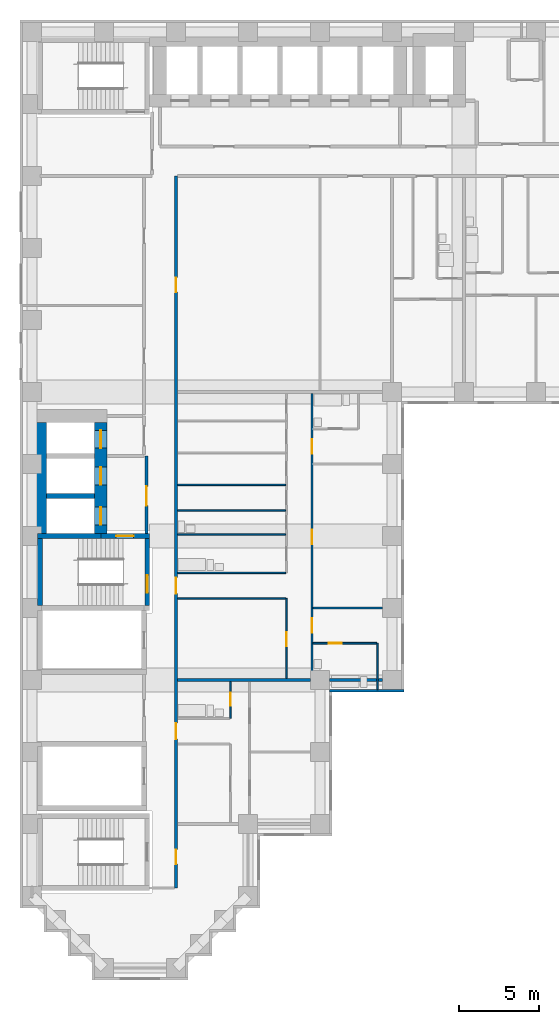
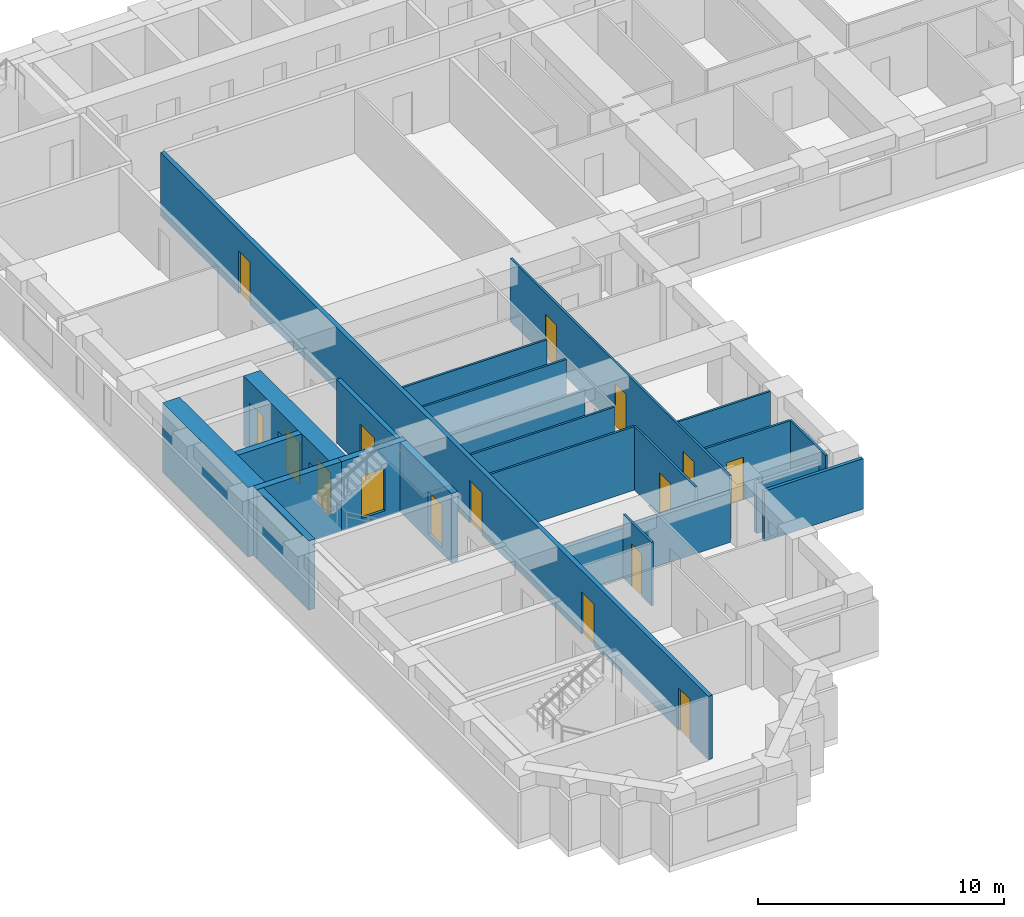
# One storey, part 3 of 13: 23 walls, 16 doors, 16 openings.
"""IFC4 building model written with IfcOpenShell, lengths in metres."""

from ifc_helpers import new_model, si_unit, direction, frame, frame_2d, origin, place, context, subcontext, project, spatial, rectangle, extrude, material, layer, layer_set, type_object, element, fill, save


model = new_model("IFC4")

# Units and contexts
model_context = context("Model", 3, precision=1e-05, world=origin(), true_north=direction((0.0, 1.0)))
body_context = subcontext(model_context, "Body", "Model", "MODEL_VIEW")
ifc_project = project(units=[si_unit("LENGTHUNIT", "METRE"), si_unit("AREAUNIT", "SQUARE_METRE"), si_unit("VOLUMEUNIT", "CUBIC_METRE"), si_unit("PLANEANGLEUNIT", "RADIAN"), si_unit("MASSUNIT", "GRAM", prefix="KILO")], contexts=[model_context])

# Site, building, storey
site_placement = place(None, origin())
site = spatial("IfcSite", under=ifc_project, at=site_placement, CompositionType="ELEMENT")
building_placement = place(site_placement, origin())
building = spatial("IfcBuilding", under=site, at=building_placement, Name="Firuza Court", CompositionType="ELEMENT")
storey_placement = place(building_placement, frame((0.0, 0.0, 104.60009765625)))
storey = spatial("IfcBuildingStorey", under=building, at=storey_placement, Name="L26", CompositionType="ELEMENT", Elevation=104.60009765625)

# Wall
ifc_material_1 = material(Name="Moisture-resistant gypsum board partition")
ifc_layer_1 = layer(ifc_material_1, 0.10009765625)
ifc_layer_set_1 = layer_set([ifc_layer_1], Name="Moisture-resistant gypsum board partition")
wall_type_1 = type_object("IfcWallType", Name="Bathroom partition 100", PredefinedType="PLUMBINGWALL", material=ifc_layer_set_1)
wall_1_placement = place(storey_placement, frame((21.60009765625, 17.39990234375, 0.0), z_axis=(0.0, 0.0, 1.0), x_axis=(0.0, 1.0, 0.0)))
element("IfcWall", 1, at=wall_1_placement, inside=storey, type_object=wall_type_1, Name="Bathroom partition 100 L26", PredefinedType="PLUMBINGWALL", context=body_context, shape_type="SweptSolid", body=[
    extrude(rectangle(XDim=2.900146484375, YDim=0.10009765625, at=frame_2d((1.4501953125, 0.0))), origin(), (0.0, 0.0, 1.0), 3.14990234375),
])

# Wall, opening, door
wall_2_placement = place(storey_placement, frame((17.550048828125, 20.300048828125, 0.0), z_axis=(0.0, 0.0, 1.0), x_axis=(1.0, 0.0, 0.0)))
wall_2 = element("IfcWall", 2, at=wall_2_placement, inside=storey, type_object=wall_type_1, Name="Bathroom partition 100 L26", PredefinedType="PLUMBINGWALL", context=body_context, shape_type="SweptSolid", body=[
    extrude(rectangle(XDim=4.0, YDim=0.10009765625, at=frame_2d((2.0, 0.0))), origin(), (0.0, 0.0, 1.0), 3.14990234375),
])
opening_1_placement = place(wall_2_placement, frame((1.0, 0.0, 0.0)))
opening_1 = element("IfcOpeningElement", 3, at=opening_1_placement, cuts=wall_2, Name="Opening D26032", PredefinedType="OPENING", context=body_context, shape_type="SweptSolid", body=[
    extrude(rectangle(XDim=0.800048828125, YDim=2.10009765625, at=frame_2d((0.39990234375, 1.050048828125))), frame((0.0, 0.06201171875, 0.0), z_axis=(0.0, -1.0, 0.0), x_axis=(1.0, 0.0, 0.0)), (0.0, 0.0, 1.0), 0.1240234375),
])
ifc_material_2 = material(Name="Timber door leaf in hardwood frame", Category="wood")
door_type_1 = type_object("IfcDoorType", Name="Bathroom door 800", OperationType="SINGLE_SWING_LEFT", PredefinedType="DOOR", material=ifc_material_2)
door_1_placement = place(opening_1_placement, frame((0.800048828125, 0.0, 0.0), z_axis=(0.0, 0.0, 1.0), x_axis=(-1.0, 0.0, 0.0)))
door_1 = element("IfcDoor", 4, at=door_1_placement, inside=storey, type_object=door_type_1, Name="En-suite door", OperationType="SINGLE_SWING_RIGHT", OverallHeight=2.10009765625, OverallWidth=0.800048828125, PredefinedType="DOOR", context=body_context, shape_type="SweptSolid", body=[
    extrude(rectangle(XDim=0.800048828125, YDim=2.10009765625, at=frame_2d((0.39990234375, 1.050048828125))), frame((0.0, 0.02490234375, 0.0), z_axis=(0.0, -1.0, 0.0), x_axis=(1.0, 0.0, 0.0)), (0.0, 0.0, 1.0), 0.050048828125),
])
fill(opening_1, door_1)

# Walls
wall_3_placement = place(storey_placement, frame((9.10009765625, 24.699951171875, 0.0), z_axis=(0.0, 0.0, 1.0), x_axis=(1.0, 0.0, 0.0)))
element("IfcWall", 5, at=wall_3_placement, inside=storey, type_object=wall_type_1, Name="Bathroom partition 100 L26", PredefinedType="PLUMBINGWALL", context=body_context, shape_type="SweptSolid", body=[
    extrude(rectangle(XDim=6.75, YDim=0.10009765625, at=frame_2d((3.375, 0.0))), origin(), (0.0, 0.0, 1.0), 3.14990234375),
])
wall_4_placement = place(storey_placement, frame((9.10009765625, 27.10009765625, 0.0), z_axis=(0.0, 0.0, 1.0), x_axis=(1.0, 0.0, 0.0)))
element("IfcWall", 6, at=wall_4_placement, inside=storey, type_object=wall_type_1, Name="Bathroom partition 100 L26", PredefinedType="PLUMBINGWALL", context=body_context, shape_type="SweptSolid", body=[
    extrude(rectangle(XDim=6.75, YDim=0.10009765625, at=frame_2d((3.375, 0.0))), origin(), (0.0, 0.0, 1.0), 2.5498046875),
])
wall_5_placement = place(storey_placement, frame((9.10009765625, 28.60009765625, 0.0), z_axis=(0.0, 0.0, 1.0), x_axis=(1.0, 0.0, 0.0)))
element("IfcWall", 7, at=wall_5_placement, inside=storey, type_object=wall_type_1, Name="Bathroom partition 100 L26", PredefinedType="PLUMBINGWALL", context=body_context, shape_type="SweptSolid", body=[
    extrude(rectangle(XDim=6.75, YDim=0.10009765625, at=frame_2d((3.375, 0.0))), origin(), (0.0, 0.0, 1.0), 3.14990234375),
])
ifc_material_3 = material(Name="Concrete C60/75", Category="concrete")
ifc_layer_2 = layer(ifc_material_3, 0.300048828125)
ifc_layer_set_2 = layer_set([ifc_layer_2], Name="Concrete C60/75")
wall_type_2 = type_object("IfcWallType", Name="Core wall 300 C60/75", PredefinedType="SHEAR", material=ifc_layer_set_2)
wall_6_placement = place(storey_placement, frame((0.35009765625, 27.0, -0.300048828125), z_axis=(0.0, 0.0, 1.0), x_axis=(1.0, 0.0, 0.0)))
element("IfcWall", 8, at=wall_6_placement, inside=storey, type_object=wall_type_2, Name="Core wall lift shaft L26", PredefinedType="SHEAR", context=body_context, shape_type="SweptSolid", body=[
    extrude(rectangle(XDim=3.949951171875, YDim=0.300048828125, at=frame_2d((1.97509765625, 0.0))), origin(), (0.0, 0.0, 1.0), 3.449951171875),
])
wall_7_placement = place(storey_placement, frame((0.5, 22.64990234375, -0.300048828125), z_axis=(0.0, 0.0, 1.0), x_axis=(0.0, 1.0, 0.0)))
element("IfcWall", 9, at=wall_7_placement, inside=storey, type_object=wall_type_2, Name="Core wall stair L26", PredefinedType="SHEAR", context=body_context, shape_type="SweptSolid", body=[
    extrude(rectangle(XDim=4.2001953125, YDim=0.300048828125, at=frame_2d((2.10009765625, 0.0))), origin(), (0.0, 0.0, 1.0), 3.449951171875),
])
wall_8_placement = place(storey_placement, frame((0.89990234375, 29.5, -0.300048828125), z_axis=(0.0, 0.0, 1.0), x_axis=(1.0, 0.0, 0.0)))
element("IfcWall", 10, at=wall_8_placement, inside=storey, type_object=wall_type_2, Name="Core wall lift shaft L26", PredefinedType="SHEAR", context=body_context, shape_type="SweptSolid", body=[
    extrude(rectangle(XDim=3.0, YDim=0.300048828125, at=frame_2d((1.5, 0.0))), origin(), (0.0, 0.0, 1.0), 3.449951171875),
])

# Wall, opening, door
wall_9_placement = place(storey_placement, frame((4.300048828125, 27.0, -0.300048828125), z_axis=(0.0, 0.0, 1.0), x_axis=(1.0, 0.0, 0.0)))
wall_9 = element("IfcWall", 11, at=wall_9_placement, inside=storey, type_object=wall_type_2, Name="Core wall stair L26", PredefinedType="SHEAR", context=body_context, shape_type="SweptSolid", body=[
    extrude(rectangle(XDim=3.050048828125, YDim=0.300048828125, at=frame_2d((1.52490234375, 0.0))), origin(), (0.0, 0.0, 1.0), 3.449951171875),
])
opening_2_placement = place(wall_9_placement, frame((0.949951171875, 0.0, 0.300048828125)))
opening_2 = element("IfcOpeningElement", 12, at=opening_2_placement, cuts=wall_9, Name="Opening D26014", PredefinedType="OPENING", context=body_context, shape_type="SweptSolid", body=[
    extrude(rectangle(XDim=1.10009765625, YDim=2.10009765625, at=frame_2d((0.550048828125, 1.050048828125))), frame((0.0, 0.162109375, 0.0), z_axis=(0.0, -1.0, 0.0), x_axis=(1.0, 0.0, 0.0)), (0.0, 0.0, 1.0), 0.323974609375),
])
ifc_material_4 = material(Name="Timber door leaf in hardwood frame", Category="wood")
door_type_2 = type_object("IfcDoorType", Name="Stair door 1100", OperationType="SINGLE_SWING_LEFT", PredefinedType="DOOR", material=ifc_material_4)
door_2_placement = place(opening_2_placement, frame((1.10009765625, 0.0, 0.0), z_axis=(0.0, 0.0, 1.0), x_axis=(-1.0, 0.0, 0.0)))
door_2 = element("IfcDoor", 13, at=door_2_placement, inside=storey, type_object=door_type_2, Name="Fire-fighting lobby door", OperationType="SINGLE_SWING_LEFT", OverallHeight=2.10009765625, OverallWidth=1.10009765625, PredefinedType="DOOR", context=body_context, shape_type="SweptSolid", body=[
    extrude(rectangle(XDim=1.10009765625, YDim=2.10009765625, at=frame_2d((0.550048828125, 1.050048828125))), frame((0.0, 0.02490234375, 0.0), z_axis=(0.0, -1.0, 0.0), x_axis=(1.0, 0.0, 0.0)), (0.0, 0.0, 1.0), 0.050048828125),
])
fill(opening_2, door_2)

wall_10_placement = place(storey_placement, frame((7.199951171875, 22.64990234375, -0.300048828125), z_axis=(0.0, 0.0, 1.0), x_axis=(0.0, 1.0, 0.0)))
wall_10 = element("IfcWall", 14, at=wall_10_placement, inside=storey, type_object=wall_type_2, Name="Core wall stair L26", PredefinedType="SHEAR", context=body_context, shape_type="SweptSolid", body=[
    extrude(rectangle(XDim=4.2001953125, YDim=0.300048828125, at=frame_2d((2.10009765625, 0.0))), origin(), (0.0, 0.0, 1.0), 3.449951171875),
])
opening_3_placement = place(wall_10_placement, frame((0.800048828125, 0.0, 0.300048828125)))
opening_3 = element("IfcOpeningElement", 15, at=opening_3_placement, cuts=wall_10, Name="Opening D26015", PredefinedType="OPENING", context=body_context, shape_type="SweptSolid", body=[
    extrude(rectangle(XDim=1.10009765625, YDim=2.10009765625, at=frame_2d((0.550048828125, 1.050048828125))), frame((0.0, 0.162109375, 0.0), z_axis=(0.0, -1.0, 0.0), x_axis=(1.0, 0.0, 0.0)), (0.0, 0.0, 1.0), 0.323974609375),
])
door_3_placement = place(opening_3_placement, origin())
door_3 = element("IfcDoor", 16, at=door_3_placement, inside=storey, type_object=door_type_2, Name="Stair door S2", OperationType="SINGLE_SWING_LEFT", OverallHeight=2.10009765625, OverallWidth=1.10009765625, PredefinedType="DOOR", context=body_context, shape_type="SweptSolid", body=[
    extrude(rectangle(XDim=1.10009765625, YDim=2.10009765625, at=frame_2d((0.550048828125, 1.050048828125))), frame((0.0, 0.02490234375, 0.0), z_axis=(0.0, -1.0, 0.0), x_axis=(1.0, 0.0, 0.0)), (0.0, 0.0, 1.0), 0.050048828125),
])
fill(opening_3, door_3)

# Wall
ifc_layer_3 = layer(ifc_material_3, 0.800048828125)
ifc_layer_set_3 = layer_set([ifc_layer_3], Name="Concrete C60/75")
wall_type_3 = type_object("IfcWallType", Name="Core wall 800 C60/75", PredefinedType="SHEAR", material=ifc_layer_set_3)
wall_11_placement = place(storey_placement, frame((0.5, 27.14990234375, -0.300048828125), z_axis=(0.0, 0.0, 1.0), x_axis=(0.0, 1.0, 0.0)))
element("IfcWall", 17, at=wall_11_placement, inside=storey, type_object=wall_type_3, Name="Core wall lift shaft L26", PredefinedType="SHEAR", context=body_context, shape_type="SweptSolid", body=[
    extrude(rectangle(XDim=6.9501953125, YDim=0.800048828125, at=frame_2d((3.47509765625, 0.0))), origin(), (0.0, 0.0, 1.0), 3.449951171875),
])

# Wall, openings, doors
wall_12_placement = place(storey_placement, frame((4.300048828125, 27.14990234375, -0.300048828125), z_axis=(0.0, 0.0, 1.0), x_axis=(0.0, 1.0, 0.0)))
wall_12 = element("IfcWall", 18, at=wall_12_placement, inside=storey, type_object=wall_type_3, Name="Core wall lift shaft L26", PredefinedType="SHEAR", context=body_context, shape_type="SweptSolid", body=[
    extrude(rectangle(XDim=6.9501953125, YDim=0.800048828125, at=frame_2d((3.47509765625, 0.0))), origin(), (0.0, 0.0, 1.0), 3.449951171875),
])
opening_4_placement = place(wall_12_placement, frame((3.050048828125, 0.0, 0.300048828125)))
opening_4 = element("IfcOpeningElement", 19, at=opening_4_placement, cuts=wall_12, Name="Opening LD-FL1-26", PredefinedType="OPENING", context=body_context, shape_type="SweptSolid", body=[
    extrude(rectangle(XDim=1.10009765625, YDim=2.10009765625, at=frame_2d((0.550048828125, 1.050048828125))), frame((0.0, 0.412109375, 0.0), z_axis=(0.0, -1.0, 0.0), x_axis=(1.0, 0.0, 0.0)), (0.0, 0.0, 1.0), 0.823974609375),
])
opening_5_placement = place(wall_12_placement, frame((0.550048828125, 0.0, 0.300048828125)))
opening_5 = element("IfcOpeningElement", 20, at=opening_5_placement, cuts=wall_12, Name="Opening LD-FL2-26", PredefinedType="OPENING", context=body_context, shape_type="SweptSolid", body=[
    extrude(rectangle(XDim=1.10009765625, YDim=2.10009765625, at=frame_2d((0.550048828125, 1.050048828125))), frame((0.0, 0.412109375, 0.0), z_axis=(0.0, -1.0, 0.0), x_axis=(1.0, 0.0, 0.0)), (0.0, 0.0, 1.0), 0.823974609375),
])
opening_6_placement = place(wall_12_placement, frame((5.35009765625, 0.0, 0.300048828125)))
opening_6 = element("IfcOpeningElement", 21, at=opening_6_placement, cuts=wall_12, Name="Opening LD-SL1-26", PredefinedType="OPENING", context=body_context, shape_type="SweptSolid", body=[
    extrude(rectangle(XDim=1.10009765625, YDim=2.10009765625, at=frame_2d((0.550048828125, 1.050048828125))), frame((0.0, 0.412109375, 0.0), z_axis=(0.0, -1.0, 0.0), x_axis=(1.0, 0.0, 0.0)), (0.0, 0.0, 1.0), 0.823974609375),
])
ifc_material_5 = material(Name="Stainless steel 1.4301 door leaf", Category="steel")
door_type_3 = type_object("IfcDoorType", Name="Lift landing door 1100", OperationType="SLIDING_TO_LEFT", PredefinedType="DOOR", material=ifc_material_5)
door_4_placement = place(opening_4_placement, origin())
door_4 = element("IfcDoor", 22, at=door_4_placement, inside=storey, type_object=door_type_3, Name="Landing door FL1", OperationType="SLIDING_TO_LEFT", OverallHeight=2.10009765625, OverallWidth=1.10009765625, PredefinedType="DOOR", context=body_context, shape_type="SweptSolid", body=[
    extrude(rectangle(XDim=1.10009765625, YDim=2.10009765625, at=frame_2d((0.550048828125, 1.050048828125))), frame((0.0, 0.02490234375, 0.0), z_axis=(0.0, -1.0, 0.0), x_axis=(1.0, 0.0, 0.0)), (0.0, 0.0, 1.0), 0.050048828125),
])
fill(opening_4, door_4)
door_5_placement = place(opening_5_placement, origin())
door_5 = element("IfcDoor", 23, at=door_5_placement, inside=storey, type_object=door_type_3, Name="Landing door FL2", OperationType="SLIDING_TO_LEFT", OverallHeight=2.10009765625, OverallWidth=1.10009765625, PredefinedType="DOOR", context=body_context, shape_type="SweptSolid", body=[
    extrude(rectangle(XDim=1.10009765625, YDim=2.10009765625, at=frame_2d((0.550048828125, 1.050048828125))), frame((0.0, 0.02490234375, 0.0), z_axis=(0.0, -1.0, 0.0), x_axis=(1.0, 0.0, 0.0)), (0.0, 0.0, 1.0), 0.050048828125),
])
fill(opening_5, door_5)
door_6_placement = place(opening_6_placement, origin())
door_6 = element("IfcDoor", 24, at=door_6_placement, inside=storey, type_object=door_type_3, Name="Landing door SL1", OperationType="SLIDING_TO_LEFT", OverallHeight=2.10009765625, OverallWidth=1.10009765625, PredefinedType="DOOR", context=body_context, shape_type="SweptSolid", body=[
    extrude(rectangle(XDim=1.10009765625, YDim=2.10009765625, at=frame_2d((0.550048828125, 1.050048828125))), frame((0.0, 0.02490234375, 0.0), z_axis=(0.0, -1.0, 0.0), x_axis=(1.0, 0.0, 0.0)), (0.0, 0.0, 1.0), 0.050048828125),
])
fill(opening_6, door_6)

ifc_material_6 = material(Name="Blockwork, plastered both sides", Category="masonry")
ifc_layer_4 = layer(ifc_material_6, 0.199951171875)
ifc_layer_set_4 = layer_set([ifc_layer_4], Name="Blockwork, plastered both sides")
wall_type_4 = type_object("IfcWallType", Name="Corridor wall 200", PredefinedType="PARTITIONING", material=ifc_layer_set_4)
wall_13_placement = place(storey_placement, frame((9.0, 5.0, 0.0), z_axis=(0.0, 0.0, 1.0), x_axis=(0.0, 1.0, 0.0)))
wall_13 = element("IfcWall", 25, at=wall_13_placement, inside=storey, type_object=wall_type_4, Name="Corridor wall 200 L26", PredefinedType="PARTITIONING", context=body_context, shape_type="SweptSolid", body=[
    extrude(rectangle(XDim=44.5, YDim=0.199951171875, at=frame_2d((22.25, 0.0))), origin(), (0.0, 0.0, 1.0), 3.14990234375),
])
opening_7_placement = place(wall_13_placement, frame((18.39990234375, 0.0, 0.0)))
opening_7 = element("IfcOpeningElement", 26, at=opening_7_placement, cuts=wall_13, Name="Opening D26019", PredefinedType="OPENING", context=body_context, shape_type="SweptSolid", body=[
    extrude(rectangle(XDim=1.0, YDim=2.10009765625, at=frame_2d((0.5, 1.050048828125))), frame((0.0, 0.11181640625, 0.0), z_axis=(0.0, -1.0, 0.0), x_axis=(1.0, 0.0, 0.0)), (0.0, 0.0, 1.0), 0.223876953125),
])
opening_8_placement = place(wall_13_placement, frame((9.300048828125, 0.0, 0.0)))
opening_8 = element("IfcOpeningElement", 27, at=opening_8_placement, cuts=wall_13, Name="Opening D26020", PredefinedType="OPENING", context=body_context, shape_type="SweptSolid", body=[
    extrude(rectangle(XDim=1.0, YDim=2.10009765625, at=frame_2d((0.5, 1.050048828125))), frame((0.0, 0.11181640625, 0.0), z_axis=(0.0, -1.0, 0.0), x_axis=(1.0, 0.0, 0.0)), (0.0, 0.0, 1.0), 0.223876953125),
])
opening_9_placement = place(wall_13_placement, frame((37.25, 0.0, 0.0)))
opening_9 = element("IfcOpeningElement", 28, at=opening_9_placement, cuts=wall_13, Name="Opening D26021", PredefinedType="OPENING", context=body_context, shape_type="SweptSolid", body=[
    extrude(rectangle(XDim=0.89990234375, YDim=2.10009765625, at=frame_2d((0.449951171875, 1.050048828125))), frame((0.0, 0.11181640625, 0.0), z_axis=(0.0, -1.0, 0.0), x_axis=(1.0, 0.0, 0.0)), (0.0, 0.0, 1.0), 0.223876953125),
])
opening_10_placement = place(wall_13_placement, frame((1.5, 0.0, 0.0)))
opening_10 = element("IfcOpeningElement", 29, at=opening_10_placement, cuts=wall_13, Name="Opening D26022", PredefinedType="OPENING", context=body_context, shape_type="SweptSolid", body=[
    extrude(rectangle(XDim=0.89990234375, YDim=2.10009765625, at=frame_2d((0.449951171875, 1.050048828125))), frame((0.0, 0.11181640625, 0.0), z_axis=(0.0, -1.0, 0.0), x_axis=(1.0, 0.0, 0.0)), (0.0, 0.0, 1.0), 0.223876953125),
])
ifc_material_7 = material(Name="Timber door leaf in hardwood frame", Category="wood")
door_type_4 = type_object("IfcDoorType", Name="Flat entrance door 1000", OperationType="SINGLE_SWING_LEFT", PredefinedType="DOOR", material=ifc_material_7)
door_7_placement = place(opening_7_placement, origin())
door_7 = element("IfcDoor", 30, at=door_7_placement, inside=storey, type_object=door_type_4, Name="Flat entrance door", OperationType="SINGLE_SWING_LEFT", OverallHeight=2.10009765625, OverallWidth=1.0, PredefinedType="DOOR", context=body_context, shape_type="SweptSolid", body=[
    extrude(rectangle(XDim=1.0, YDim=2.10009765625, at=frame_2d((0.5, 1.050048828125))), frame((0.0, 0.02490234375, 0.0), z_axis=(0.0, -1.0, 0.0), x_axis=(1.0, 0.0, 0.0)), (0.0, 0.0, 1.0), 0.050048828125),
])
fill(opening_7, door_7)
door_8_placement = place(opening_8_placement, origin())
door_8 = element("IfcDoor", 31, at=door_8_placement, inside=storey, type_object=door_type_4, Name="Flat entrance door", OperationType="SINGLE_SWING_LEFT", OverallHeight=2.10009765625, OverallWidth=1.0, PredefinedType="DOOR", context=body_context, shape_type="SweptSolid", body=[
    extrude(rectangle(XDim=1.0, YDim=2.10009765625, at=frame_2d((0.5, 1.050048828125))), frame((0.0, 0.02490234375, 0.0), z_axis=(0.0, -1.0, 0.0), x_axis=(1.0, 0.0, 0.0)), (0.0, 0.0, 1.0), 0.050048828125),
])
fill(opening_8, door_8)
ifc_material_8 = material(Name="Timber door leaf in hardwood frame", Category="wood")
door_type_5 = type_object("IfcDoorType", Name="Room door 900 EI 30", OperationType="SINGLE_SWING_LEFT", PredefinedType="DOOR", material=ifc_material_8)
door_9_placement = place(opening_9_placement, origin())
door_9 = element("IfcDoor", 32, at=door_9_placement, inside=storey, type_object=door_type_5, Name="Cinema room door", OperationType="SINGLE_SWING_LEFT", OverallHeight=2.10009765625, OverallWidth=0.89990234375, PredefinedType="DOOR", context=body_context, shape_type="SweptSolid", body=[
    extrude(rectangle(XDim=0.89990234375, YDim=2.10009765625, at=frame_2d((0.449951171875, 1.050048828125))), frame((0.0, 0.02490234375, 0.0), z_axis=(0.0, -1.0, 0.0), x_axis=(1.0, 0.0, 0.0)), (0.0, 0.0, 1.0), 0.050048828125),
])
fill(opening_9, door_9)
door_10_placement = place(opening_10_placement, frame((0.89990234375, 0.0, 0.0), z_axis=(0.0, 0.0, 1.0), x_axis=(-1.0, 0.0, 0.0)))
door_10 = element("IfcDoor", 33, at=door_10_placement, inside=storey, type_object=door_type_5, Name="Business room door", OperationType="SINGLE_SWING_LEFT", OverallHeight=2.10009765625, OverallWidth=0.89990234375, PredefinedType="DOOR", context=body_context, shape_type="SweptSolid", body=[
    extrude(rectangle(XDim=0.89990234375, YDim=2.10009765625, at=frame_2d((0.449951171875, 1.050048828125))), frame((0.0, 0.02490234375, 0.0), z_axis=(0.0, -1.0, 0.0), x_axis=(1.0, 0.0, 0.0)), (0.0, 0.0, 1.0), 0.050048828125),
])
fill(opening_10, door_10)

# Wall, opening, door
ifc_material_9 = material(Name="Timber stud partition, plasterboard both sides", Category="wood")
ifc_layer_5 = layer(ifc_material_9, 0.10009765625)
ifc_layer_set_5 = layer_set([ifc_layer_5], Name="Timber stud partition, plasterboard both sides")
wall_type_5 = type_object("IfcWallType", Name="Partition wall 100", PredefinedType="PARTITIONING", material=ifc_layer_set_5)
wall_14_placement = place(storey_placement, frame((12.39990234375, 15.60009765625, 0.0), z_axis=(0.0, 0.0, 1.0), x_axis=(0.0, 1.0, 0.0)))
wall_14 = element("IfcWall", 34, at=wall_14_placement, inside=storey, type_object=wall_type_5, Name="Partition wall 100 L26", PredefinedType="PARTITIONING", context=body_context, shape_type="SweptSolid", body=[
    extrude(rectangle(XDim=2.2998046875, YDim=0.10009765625, at=frame_2d((1.14990234375, 0.0))), origin(), (0.0, 0.0, 1.0), 3.14990234375),
])
opening_11_placement = place(wall_14_placement, frame((0.800048828125, 0.0, 0.0)))
opening_11 = element("IfcOpeningElement", 35, at=opening_11_placement, cuts=wall_14, Name="Opening D26027", PredefinedType="OPENING", context=body_context, shape_type="SweptSolid", body=[
    extrude(rectangle(XDim=0.800048828125, YDim=2.10009765625, at=frame_2d((0.39990234375, 1.050048828125))), frame((0.0, 0.06201171875, 0.0), z_axis=(0.0, -1.0, 0.0), x_axis=(1.0, 0.0, 0.0)), (0.0, 0.0, 1.0), 0.1240234375),
])
door_11_placement = place(opening_11_placement, origin())
door_11 = element("IfcDoor", 36, at=door_11_placement, inside=storey, type_object=door_type_1, Name="Bathroom door", OperationType="SINGLE_SWING_LEFT", OverallHeight=2.10009765625, OverallWidth=0.800048828125, PredefinedType="DOOR", context=body_context, shape_type="SweptSolid", body=[
    extrude(rectangle(XDim=0.800048828125, YDim=2.10009765625, at=frame_2d((0.39990234375, 1.050048828125))), frame((0.0, 0.02490234375, 0.0), z_axis=(0.0, -1.0, 0.0), x_axis=(1.0, 0.0, 0.0)), (0.0, 0.0, 1.0), 0.050048828125),
])
fill(opening_11, door_11)

wall_15_placement = place(storey_placement, frame((15.89990234375, 18.10009765625, 0.0), z_axis=(0.0, 0.0, 1.0), x_axis=(0.0, 1.0, 0.0)))
wall_15 = element("IfcWall", 37, at=wall_15_placement, inside=storey, type_object=wall_type_5, Name="Partition wall 100 L26", PredefinedType="PARTITIONING", context=body_context, shape_type="SweptSolid", body=[
    extrude(rectangle(XDim=5.0, YDim=0.10009765625, at=frame_2d((2.5, 0.0))), origin(), (0.0, 0.0, 1.0), 3.14990234375),
])
opening_12_placement = place(wall_15_placement, frame((2.0, 0.0, 0.0)))
opening_12 = element("IfcOpeningElement", 38, at=opening_12_placement, cuts=wall_15, Name="Opening D26028", PredefinedType="OPENING", context=body_context, shape_type="SweptSolid", body=[
    extrude(rectangle(XDim=0.89990234375, YDim=2.10009765625, at=frame_2d((0.449951171875, 1.050048828125))), frame((0.0, 0.06201171875, 0.0), z_axis=(0.0, -1.0, 0.0), x_axis=(1.0, 0.0, 0.0)), (0.0, 0.0, 1.0), 0.1240234375),
])
ifc_material_10 = material(Name="Timber door leaf in hardwood frame", Category="wood")
door_type_6 = type_object("IfcDoorType", Name="Room door 900", OperationType="SINGLE_SWING_LEFT", PredefinedType="DOOR", material=ifc_material_10)
door_12_placement = place(opening_12_placement, origin())
door_12 = element("IfcDoor", 39, at=door_12_placement, inside=storey, type_object=door_type_6, Name="Kitchen door", OperationType="SINGLE_SWING_LEFT", OverallHeight=2.10009765625, OverallWidth=0.89990234375, PredefinedType="DOOR", context=body_context, shape_type="SweptSolid", body=[
    extrude(rectangle(XDim=0.89990234375, YDim=2.10009765625, at=frame_2d((0.449951171875, 1.050048828125))), frame((0.0, 0.02490234375, 0.0), z_axis=(0.0, -1.0, 0.0), x_axis=(1.0, 0.0, 0.0)), (0.0, 0.0, 1.0), 0.050048828125),
])
fill(opening_12, door_12)

# Wall, openings, doors
wall_16_placement = place(storey_placement, frame((17.5, 18.10009765625, 0.0), z_axis=(0.0, 0.0, 1.0), x_axis=(0.0, 1.0, 0.0)))
wall_16 = element("IfcWall", 40, at=wall_16_placement, inside=storey, type_object=wall_type_5, Name="Partition wall 100 L26", PredefinedType="PARTITIONING", context=body_context, shape_type="SweptSolid", body=[
    extrude(rectangle(XDim=17.7998046875, YDim=0.10009765625, at=frame_2d((8.89990234375, 0.0))), origin(), (0.0, 0.0, 1.0), 3.14990234375),
])
opening_13_placement = place(wall_16_placement, frame((2.85009765625, 0.0, 0.0)))
opening_13 = element("IfcOpeningElement", 41, at=opening_13_placement, cuts=wall_16, Name="Opening D26029", PredefinedType="OPENING", context=body_context, shape_type="SweptSolid", body=[
    extrude(rectangle(XDim=0.89990234375, YDim=2.10009765625, at=frame_2d((0.449951171875, 1.050048828125))), frame((0.0, 0.06201171875, 0.0), z_axis=(0.0, -1.0, 0.0), x_axis=(1.0, 0.0, 0.0)), (0.0, 0.0, 1.0), 0.1240234375),
])
opening_14_placement = place(wall_16_placement, frame((8.39990234375, 0.0, 0.0)))
opening_14 = element("IfcOpeningElement", 42, at=opening_14_placement, cuts=wall_16, Name="Opening D26030", PredefinedType="OPENING", context=body_context, shape_type="SweptSolid", body=[
    extrude(rectangle(XDim=0.89990234375, YDim=2.10009765625, at=frame_2d((0.449951171875, 1.050048828125))), frame((0.0, 0.06201171875, 0.0), z_axis=(0.0, -1.0, 0.0), x_axis=(1.0, 0.0, 0.0)), (0.0, 0.0, 1.0), 0.1240234375),
])
opening_15_placement = place(wall_16_placement, frame((14.050048828125, 0.0, 0.0)))
opening_15 = element("IfcOpeningElement", 43, at=opening_15_placement, cuts=wall_16, Name="Opening D26031", PredefinedType="OPENING", context=body_context, shape_type="SweptSolid", body=[
    extrude(rectangle(XDim=0.89990234375, YDim=2.10009765625, at=frame_2d((0.449951171875, 1.050048828125))), frame((0.0, 0.06201171875, 0.0), z_axis=(0.0, -1.0, 0.0), x_axis=(1.0, 0.0, 0.0)), (0.0, 0.0, 1.0), 0.1240234375),
])
door_13_placement = place(opening_13_placement, frame((0.89990234375, 0.0, 0.0), z_axis=(0.0, 0.0, 1.0), x_axis=(-1.0, 0.0, 0.0)))
door_13 = element("IfcDoor", 44, at=door_13_placement, inside=storey, type_object=door_type_6, Name="Bedroom door", OperationType="SINGLE_SWING_RIGHT", OverallHeight=2.10009765625, OverallWidth=0.89990234375, PredefinedType="DOOR", context=body_context, shape_type="SweptSolid", body=[
    extrude(rectangle(XDim=0.89990234375, YDim=2.10009765625, at=frame_2d((0.449951171875, 1.050048828125))), frame((0.0, 0.02490234375, 0.0), z_axis=(0.0, -1.0, 0.0), x_axis=(1.0, 0.0, 0.0)), (0.0, 0.0, 1.0), 0.050048828125),
])
fill(opening_13, door_13)
door_14_placement = place(opening_14_placement, frame((0.89990234375, 0.0, 0.0), z_axis=(0.0, 0.0, 1.0), x_axis=(-1.0, 0.0, 0.0)))
door_14 = element("IfcDoor", 45, at=door_14_placement, inside=storey, type_object=door_type_6, Name="Living room door", OperationType="SINGLE_SWING_RIGHT", OverallHeight=2.10009765625, OverallWidth=0.89990234375, PredefinedType="DOOR", context=body_context, shape_type="SweptSolid", body=[
    extrude(rectangle(XDim=0.89990234375, YDim=2.10009765625, at=frame_2d((0.449951171875, 1.050048828125))), frame((0.0, 0.02490234375, 0.0), z_axis=(0.0, -1.0, 0.0), x_axis=(1.0, 0.0, 0.0)), (0.0, 0.0, 1.0), 0.050048828125),
])
fill(opening_14, door_14)
door_15_placement = place(opening_15_placement, frame((0.89990234375, 0.0, 0.0), z_axis=(0.0, 0.0, 1.0), x_axis=(-1.0, 0.0, 0.0)))
door_15 = element("IfcDoor", 46, at=door_15_placement, inside=storey, type_object=door_type_6, Name="Bedroom door", OperationType="SINGLE_SWING_RIGHT", OverallHeight=2.10009765625, OverallWidth=0.89990234375, PredefinedType="DOOR", context=body_context, shape_type="SweptSolid", body=[
    extrude(rectangle(XDim=0.89990234375, YDim=2.10009765625, at=frame_2d((0.449951171875, 1.050048828125))), frame((0.0, 0.02490234375, 0.0), z_axis=(0.0, -1.0, 0.0), x_axis=(1.0, 0.0, 0.0)), (0.0, 0.0, 1.0), 0.050048828125),
])
fill(opening_15, door_15)

# Walls
wall_17_placement = place(storey_placement, frame((17.550048828125, 22.5, 0.0), z_axis=(0.0, 0.0, 1.0), x_axis=(1.0, 0.0, 0.0)))
element("IfcWall", 47, at=wall_17_placement, inside=storey, type_object=wall_type_5, Name="Partition wall 100 L26", PredefinedType="PARTITIONING", context=body_context, shape_type="SweptSolid", body=[
    extrude(rectangle(XDim=4.349853515625, YDim=0.10009765625, at=frame_2d((2.1748046875, 0.0))), origin(), (0.0, 0.0, 1.0), 3.14990234375),
])
for number, where, z_axis, x_axis, name in (
    (48, (9.10009765625, 23.10009765625, 0.0), (0.0, 0.0, 1.0), (1.0, 0.0, 0.0), "Partition wall 100 L26"),
    (49, (9.10009765625, 30.199951171875, 0.0), (0.0, 0.0, 1.0), (1.0, 0.0, 0.0), "Partition wall 100 L26"),
):
    element("IfcWall", number, at=place(storey_placement, frame(where, z_axis=z_axis, x_axis=x_axis)), inside=storey, type_object=wall_type_5, Name=name, PredefinedType="PARTITIONING", context=body_context, shape_type="SweptSolid", body=[
        extrude(rectangle(XDim=6.75, YDim=0.10009765625, at=frame_2d((3.375, 0.0))), origin(), (0.0, 0.0, 1.0), 3.14990234375),
    ])
ifc_layer_6 = layer(ifc_material_6, 0.199951171875)
ifc_layer_set_6 = layer_set([ifc_layer_6], Name="Blockwork, plastered both sides")
wall_type_6 = type_object("IfcWallType", Name="Party wall 200", PredefinedType="PARTITIONING", material=ifc_layer_set_6)
wall_18_placement = place(storey_placement, frame((9.10009765625, 18.0, 0.0), z_axis=(0.0, 0.0, 1.0), x_axis=(1.0, 0.0, 0.0)))
element("IfcWall", 50, at=wall_18_placement, inside=storey, type_object=wall_type_6, Name="Party wall 200 L26", PredefinedType="PARTITIONING", context=body_context, shape_type="SweptSolid", body=[
    extrude(rectangle(XDim=8.2998046875, YDim=0.199951171875, at=frame_2d((4.14990234375, 0.0))), origin(), (0.0, 0.0, 1.0), 2.449951171875),
])
wall_19_placement = place(storey_placement, frame((18.60009765625, 18.0, 0.0), z_axis=(0.0, 0.0, 1.0), x_axis=(1.0, 0.0, 0.0)))
element("IfcWall", 51, at=wall_19_placement, inside=storey, type_object=wall_type_6, Name="Party wall 200 L26", PredefinedType="PARTITIONING", context=body_context, shape_type="SweptSolid", body=[
    extrude(rectangle(XDim=3.2998046875, YDim=0.199951171875, at=frame_2d((1.64990234375, 0.0))), origin(), (0.0, 0.0, 1.0), 2.5),
])
ifc_material_11 = material(Name="Ceramic tile", Category="ceramic")
ifc_layer_7 = layer(ifc_material_11, 0.02001953125)
ifc_material_12 = material(Name="Mineral wool insulation", Category="insulation")
ifc_layer_8 = layer(ifc_material_12, 0.050048828125)
ifc_material_13 = material(Name="Concrete C40/50 precast", Category="concrete")
ifc_layer_9 = layer(ifc_material_13, 0.080078125)
ifc_layer_set_7 = layer_set([ifc_layer_7, ifc_layer_8, ifc_layer_9], Name="Concrete C40/50 precast")
wall_type_7 = type_object("IfcWallType", Name="Precast cladding wall with turquoise TILE PANEL face 150", PredefinedType="STANDARD", material=ifc_layer_set_7)
wall_20_placement = place(storey_placement, frame((18.60009765625, 17.324951171875, 0.0), z_axis=(0.0, 0.0, 1.0), x_axis=(1.0, 0.0, 0.0)))
element("IfcWall", 52, at=wall_20_placement, inside=storey, type_object=wall_type_7, Name="Facade wall L26 S", PredefinedType="STANDARD", context=body_context, shape_type="SweptSolid", body=[
    extrude(rectangle(XDim=4.64990234375, YDim=0.14990234375, at=frame_2d((2.324951171875, 0.0))), origin(), (0.0, 0.0, 1.0), 2.5),
])

# Wall, opening, door
ifc_material_14 = material(Name="Blockwork, fire-rated", Category="masonry")
ifc_layer_10 = layer(ifc_material_14, 0.199951171875)
ifc_layer_set_8 = layer_set([ifc_layer_10], Name="Blockwork, fire-rated")
wall_type_8 = type_object("IfcWallType", Name="Shaft wall 200", PredefinedType="PARTITIONING", material=ifc_layer_set_8)
wall_21_placement = place(storey_placement, frame((7.14990234375, 27.169921875, 0.0), z_axis=(0.0, 0.0, 1.0), x_axis=(0.0, 1.0, 0.0)))
wall_21 = element("IfcWall", 53, at=wall_21_placement, inside=storey, type_object=wall_type_8, Name="Shaft wall 200 L26", PredefinedType="PARTITIONING", context=body_context, shape_type="SweptSolid", body=[
    extrude(rectangle(XDim=4.830078125, YDim=0.199951171875, at=frame_2d((2.4150390625, 0.0))), origin(), (0.0, 0.0, 1.0), 3.14990234375),
])
opening_16_placement = place(wall_21_placement, frame((1.72998046875, 0.0, 0.0)))
opening_16 = element("IfcOpeningElement", 54, at=opening_16_placement, cuts=wall_21, Name="Opening D26002", PredefinedType="OPENING", context=body_context, shape_type="SweptSolid", body=[
    extrude(rectangle(XDim=1.199951171875, YDim=2.10009765625, at=frame_2d((0.60009765625, 1.050048828125))), frame((0.0, 0.11181640625, 0.0), z_axis=(0.0, -1.0, 0.0), x_axis=(1.0, 0.0, 0.0)), (0.0, 0.0, 1.0), 0.223876953125),
])
ifc_material_15 = material(Name="Timber door leaf in hardwood frame", Category="wood")
door_type_7 = type_object("IfcDoorType", Name="Lobby door 1200", OperationType="SINGLE_SWING_LEFT", PredefinedType="DOOR", material=ifc_material_15)
door_16_placement = place(opening_16_placement, origin())
door_16 = element("IfcDoor", 55, at=door_16_placement, inside=storey, type_object=door_type_7, Name="Fire-fighting lobby door", OperationType="SINGLE_SWING_LEFT", OverallHeight=2.10009765625, OverallWidth=1.199951171875, PredefinedType="DOOR", context=body_context, shape_type="SweptSolid", body=[
    extrude(rectangle(XDim=1.199951171875, YDim=2.10009765625, at=frame_2d((0.60009765625, 1.050048828125))), frame((0.0, 0.02490234375, 0.0), z_axis=(0.0, -1.0, 0.0), x_axis=(1.0, 0.0, 0.0)), (0.0, 0.0, 1.0), 0.050048828125),
])
fill(opening_16, door_16)

save(model, "model.ifc")
